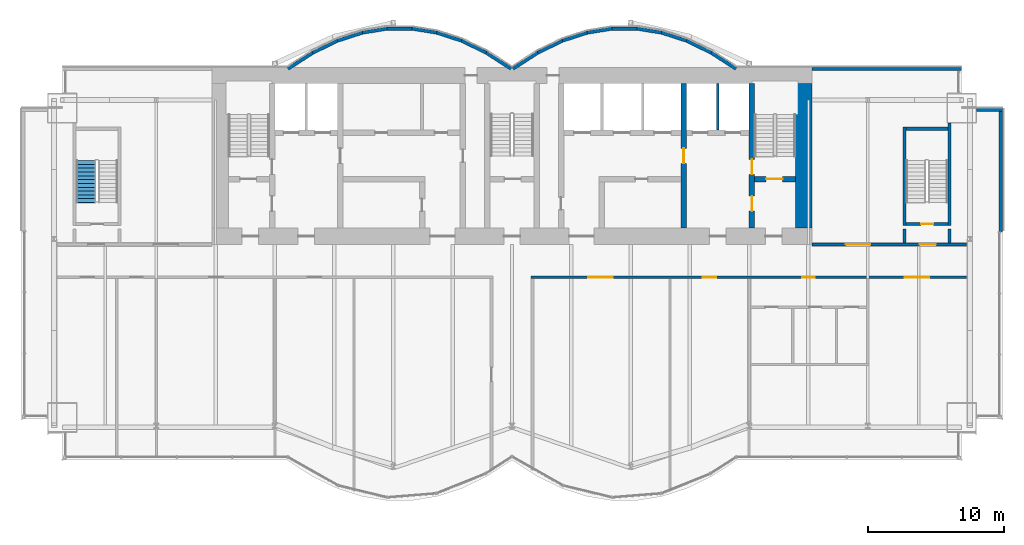
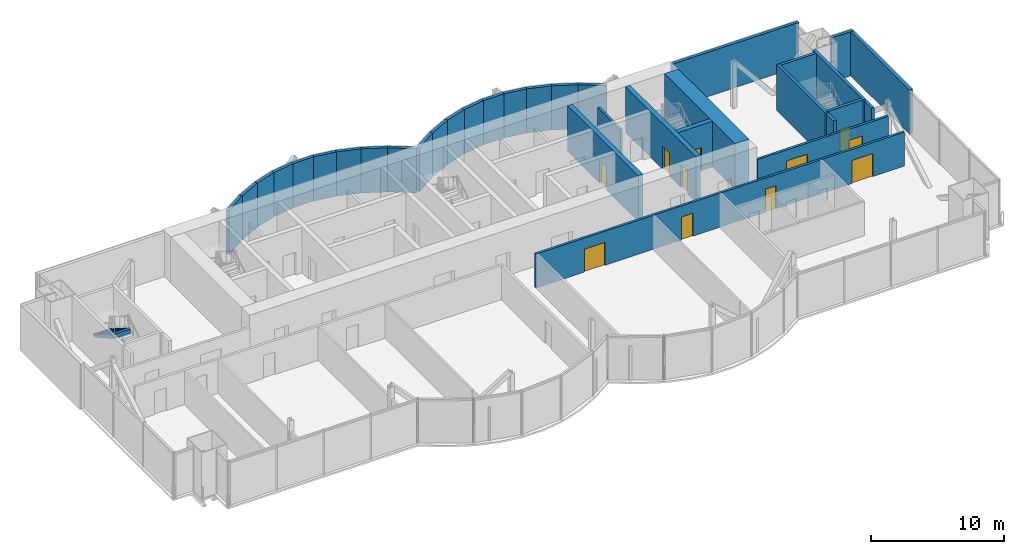
# One storey, part 15 of 19: 34 walls, 11 doors, 1 stair flight, 11 openings, 1 element without a shape of its own.
"""IFC4 building model written with IfcOpenShell, lengths in metres."""

from ifc_helpers import new_model, si_unit, direction, frame, frame_2d, origin, place, context, subcontext, project, spatial, polyline, rectangle, outline, extrude, material, layer, layer_set, layer_usage, type_object, element, fill, aggregate, save


model = new_model("IFC4")

# Units and contexts
model_context = context("Model", 3, precision=1e-05, world=origin(), true_north=direction((0.0, 1.0)))
body_context = subcontext(model_context, "Body", "Model", "MODEL_VIEW")
ifc_project = project(units=[si_unit("LENGTHUNIT", "METRE"), si_unit("AREAUNIT", "SQUARE_METRE"), si_unit("VOLUMEUNIT", "CUBIC_METRE"), si_unit("PLANEANGLEUNIT", "RADIAN"), si_unit("MASSUNIT", "GRAM", prefix="KILO")], contexts=[model_context])

# Site, building, storey
site_placement = place(None, origin())
site = spatial("IfcSite", under=ifc_project, at=site_placement, CompositionType="ELEMENT")
building_placement = place(site_placement, origin())
building = spatial("IfcBuilding", under=site, at=building_placement, Name="Bicima Exchange Tower", CompositionType="ELEMENT")
storey_placement = place(building_placement, frame((0.0, 0.0, 266.60009765625)))
storey = spatial("IfcBuildingStorey", under=building, at=storey_placement, Name="L60", CompositionType="ELEMENT", Elevation=266.60009765625)

# Wall
ifc_material_1 = material(Name="Gypsum board partition")
ifc_layer_1 = layer(ifc_material_1, 0.199951171875)
ifc_layer_set_1 = layer_set([ifc_layer_1], Name="Gypsum board partition")
wall_type_1 = type_object("IfcWallType", Name="Fire-rated gypsum partition 200 EI120", PredefinedType="PARTITIONING", material=ifc_layer_set_1)
wall_1_placement = place(storey_placement, frame((15.10009765625, -4.60009765625, 0.0), z_axis=(0.0, 0.0, 1.0), x_axis=(0.0, 1.0, 0.0)))
element("IfcWall", 1, at=wall_1_placement, inside=storey, type_object=wall_type_1, Name="partition wall 21", PredefinedType="PARTITIONING", context=body_context, shape_type="SweptSolid", body=[
    extrude(rectangle(XDim=3.400146484375, YDim=0.199951171875, at=frame_2d((1.7001953125, 0.0))), origin(), (0.0, 0.0, 1.0), 3.1181640625),
])

# Wall, openings, doors
ifc_layer_2 = layer(ifc_material_1, 0.199951171875)
ifc_layer_set_2 = layer_set([ifc_layer_2], Name="Gypsum board partition")
wall_type_2 = type_object("IfcWallType", Name="Fire-rated gypsum partition 200 EI60", PredefinedType="PARTITIONING", material=ifc_layer_set_2)
wall_2_placement = place(storey_placement, frame((1.39990234375, -15.39990234375, 0.0), z_axis=(0.0, 0.0, 1.0), x_axis=(1.0, 0.0, 0.0)))
wall_2 = element("IfcWall", 2, at=wall_2_placement, inside=storey, type_object=wall_type_2, Name="partition wall 4", PredefinedType="PARTITIONING", context=body_context, shape_type="SweptSolid", body=[
    extrude(rectangle(XDim=31.940185546875, YDim=0.199951171875, at=frame_2d((15.97021484375, 0.0))), origin(), (0.0, 0.0, 1.0), 3.1181640625),
])
opening_1_placement = place(wall_2_placement, frame((4.199951171875, 0.0, 0.0)))
opening_1 = element("IfcOpeningElement", 3, at=opening_1_placement, cuts=wall_2, Name="Opening L60-012", PredefinedType="OPENING", context=body_context, shape_type="SweptSolid", body=[
    extrude(rectangle(XDim=1.800048828125, YDim=2.10009765625, at=frame_2d((0.89990234375, 1.050048828125))), frame((0.0, 0.11181640625, 0.0), z_axis=(0.0, -1.0, 0.0), x_axis=(1.0, 0.0, 0.0)), (0.0, 0.0, 1.0), 0.223876953125),
])
opening_2_placement = place(wall_2_placement, frame((12.60009765625, 0.0, 0.0)))
opening_2 = element("IfcOpeningElement", 4, at=opening_2_placement, cuts=wall_2, Name="Opening L60-013", PredefinedType="OPENING", context=body_context, shape_type="SweptSolid", body=[
    extrude(rectangle(XDim=1.0, YDim=2.10009765625, at=frame_2d((0.5, 1.050048828125))), frame((0.0, 0.11181640625, 0.0), z_axis=(0.0, -1.0, 0.0), x_axis=(1.0, 0.0, 0.0)), (0.0, 0.0, 1.0), 0.223876953125),
])
opening_3_placement = place(wall_2_placement, frame((19.89990234375, 0.0, 0.0)))
opening_3 = element("IfcOpeningElement", 5, at=opening_3_placement, cuts=wall_2, Name="Opening L60-014", PredefinedType="OPENING", context=body_context, shape_type="SweptSolid", body=[
    extrude(rectangle(XDim=0.89990234375, YDim=2.10009765625, at=frame_2d((0.449951171875, 1.050048828125))), frame((0.0, 0.11181640625, 0.0), z_axis=(0.0, -1.0, 0.0), x_axis=(1.0, 0.0, 0.0)), (0.0, 0.0, 1.0), 0.223876953125),
])
opening_4_placement = place(wall_2_placement, frame((27.39990234375, 0.0, 0.0)))
opening_4 = element("IfcOpeningElement", 6, at=opening_4_placement, cuts=wall_2, Name="Opening L60-018", PredefinedType="OPENING", context=body_context, shape_type="SweptSolid", body=[
    extrude(rectangle(XDim=1.800048828125, YDim=2.10009765625, at=frame_2d((0.89990234375, 1.050048828125))), frame((0.0, 0.11181640625, 0.0), z_axis=(0.0, -1.0, 0.0), x_axis=(1.0, 0.0, 0.0)), (0.0, 0.0, 1.0), 0.223876953125),
])
ifc_material_2 = material(Name="Steel fire door leaf", Category="steel")
door_type_1 = type_object("IfcDoorType", Name="Door 1000 swing FD30S", OperationType="SINGLE_SWING_LEFT", PredefinedType="DOOR", material=ifc_material_2)
door_1_placement = place(opening_2_placement, frame((1.0, 0.0, 0.0), z_axis=(0.0, 0.0, 1.0), x_axis=(-1.0, 0.0, 0.0)))
door_1 = element("IfcDoor", 7, at=door_1_placement, inside=storey, type_object=door_type_1, Name="Door", OperationType="SINGLE_SWING_LEFT", OverallHeight=2.10009765625, OverallWidth=1.0, PredefinedType="DOOR", context=body_context, shape_type="SweptSolid", body=[
    extrude(rectangle(XDim=1.0, YDim=2.10009765625, at=frame_2d((0.5, 1.050048828125))), frame((0.0, 0.02490234375, 0.0), z_axis=(0.0, -1.0, 0.0), x_axis=(1.0, 0.0, 0.0)), (0.0, 0.0, 1.0), 0.050048828125),
])
fill(opening_2, door_1)
door_type_2 = type_object("IfcDoorType", Name="Door 1800 double swing FD30S", OperationType="DOUBLE_DOOR_SINGLE_SWING", PredefinedType="DOOR", material=ifc_material_2)
door_2_placement = place(opening_1_placement, origin())
door_2 = element("IfcDoor", 8, at=door_2_placement, inside=storey, type_object=door_type_2, Name="Door", OperationType="SINGLE_SWING_LEFT", OverallHeight=2.10009765625, OverallWidth=1.800048828125, PredefinedType="DOOR", context=body_context, shape_type="SweptSolid", body=[
    extrude(rectangle(XDim=1.800048828125, YDim=2.10009765625, at=frame_2d((0.89990234375, 1.050048828125))), frame((0.0, 0.02490234375, 0.0), z_axis=(0.0, -1.0, 0.0), x_axis=(1.0, 0.0, 0.0)), (0.0, 0.0, 1.0), 0.050048828125),
])
fill(opening_1, door_2)
door_3_placement = place(opening_4_placement, origin())
door_3 = element("IfcDoor", 9, at=door_3_placement, inside=storey, type_object=door_type_2, Name="Door", OperationType="SINGLE_SWING_LEFT", OverallHeight=2.10009765625, OverallWidth=1.800048828125, PredefinedType="DOOR", context=body_context, shape_type="SweptSolid", body=[
    extrude(rectangle(XDim=1.800048828125, YDim=2.10009765625, at=frame_2d((0.89990234375, 1.050048828125))), frame((0.0, 0.02490234375, 0.0), z_axis=(0.0, -1.0, 0.0), x_axis=(1.0, 0.0, 0.0)), (0.0, 0.0, 1.0), 0.050048828125),
])
fill(opening_4, door_3)
door_type_3 = type_object("IfcDoorType", Name="Door 900 swing FD30S", OperationType="SINGLE_SWING_LEFT", PredefinedType="DOOR", material=ifc_material_2)
door_4_placement = place(opening_3_placement, frame((0.89990234375, 0.0, 0.0), z_axis=(0.0, 0.0, 1.0), x_axis=(-1.0, 0.0, 0.0)))
door_4 = element("IfcDoor", 10, at=door_4_placement, inside=storey, type_object=door_type_3, Name="Door", OperationType="SINGLE_SWING_RIGHT", OverallHeight=2.10009765625, OverallWidth=0.89990234375, PredefinedType="DOOR", context=body_context, shape_type="SweptSolid", body=[
    extrude(rectangle(XDim=0.89990234375, YDim=2.10009765625, at=frame_2d((0.449951171875, 1.050048828125))), frame((0.0, 0.02490234375, 0.0), z_axis=(0.0, -1.0, 0.0), x_axis=(1.0, 0.0, 0.0)), (0.0, 0.0, 1.0), 0.050048828125),
])
fill(opening_3, door_4)

wall_3_placement = place(storey_placement, frame((22.0, -13.0, 0.0), z_axis=(0.0, 0.0, 1.0), x_axis=(1.0, 0.0, 0.0)))
wall_3 = element("IfcWall", 11, at=wall_3_placement, inside=storey, type_object=wall_type_2, Name="partition wall 6", PredefinedType="PARTITIONING", context=body_context, shape_type="SweptSolid", body=[
    extrude(rectangle(XDim=11.340087890625, YDim=0.199951171875, at=frame_2d((5.669921875, 0.0))), origin(), (0.0, 0.0, 1.0), 3.1181640625),
])
opening_5_placement = place(wall_3_placement, frame((7.89990234375, 0.0, 0.0)))
opening_5 = element("IfcOpeningElement", 12, at=opening_5_placement, cuts=wall_3, Name="Opening L60-003", PredefinedType="OPENING", context=body_context, shape_type="SweptSolid", body=[
    extrude(rectangle(XDim=1.199951171875, YDim=2.10009765625, at=frame_2d((0.60009765625, 1.050048828125))), frame((0.0, 0.11181640625, 0.0), z_axis=(0.0, -1.0, 0.0), x_axis=(1.0, 0.0, 0.0)), (0.0, 0.0, 1.0), 0.223876953125),
])
opening_6_placement = place(wall_3_placement, frame((2.5, 0.0, 0.0)))
opening_6 = element("IfcOpeningElement", 13, at=opening_6_placement, cuts=wall_3, Name="Opening L60-006", PredefinedType="OPENING", context=body_context, shape_type="SweptSolid", body=[
    extrude(rectangle(XDim=1.800048828125, YDim=2.10009765625, at=frame_2d((0.89990234375, 1.050048828125))), frame((0.0, 0.11181640625, 0.0), z_axis=(0.0, -1.0, 0.0), x_axis=(1.0, 0.0, 0.0)), (0.0, 0.0, 1.0), 0.223876953125),
])
door_type_4 = type_object("IfcDoorType", Name="Door 1200 swing FD30S", OperationType="SINGLE_SWING_LEFT", PredefinedType="DOOR", material=ifc_material_2)
door_5_placement = place(opening_5_placement, origin())
door_5 = element("IfcDoor", 14, at=door_5_placement, inside=storey, type_object=door_type_4, Name="Door", OperationType="SINGLE_SWING_RIGHT", OverallHeight=2.10009765625, OverallWidth=1.199951171875, PredefinedType="DOOR", context=body_context, shape_type="SweptSolid", body=[
    extrude(rectangle(XDim=1.199951171875, YDim=2.10009765625, at=frame_2d((0.60009765625, 1.050048828125))), frame((0.0, 0.02490234375, 0.0), z_axis=(0.0, -1.0, 0.0), x_axis=(1.0, 0.0, 0.0)), (0.0, 0.0, 1.0), 0.050048828125),
])
fill(opening_5, door_5)
door_6_placement = place(opening_6_placement, origin())
door_6 = element("IfcDoor", 15, at=door_6_placement, inside=storey, type_object=door_type_2, Name="Door", OperationType="SINGLE_SWING_LEFT", OverallHeight=2.10009765625, OverallWidth=1.800048828125, PredefinedType="DOOR", context=body_context, shape_type="SweptSolid", body=[
    extrude(rectangle(XDim=1.800048828125, YDim=2.10009765625, at=frame_2d((0.89990234375, 1.050048828125))), frame((0.0, 0.02490234375, 0.0), z_axis=(0.0, -1.0, 0.0), x_axis=(1.0, 0.0, 0.0)), (0.0, 0.0, 1.0), 0.050048828125),
])
fill(opening_6, door_6)

# Walls
ifc_material_3 = material(Name="Concrete C40/50", Category="concrete")
ifc_layer_3 = layer(ifc_material_3, 1.199951171875)
ifc_layer_set_3 = layer_set([ifc_layer_3], Name="Concrete C40/50")
wall_type_3 = type_object("IfcWallType", Name="RC core wall 1200 C40/50", PredefinedType="SHEAR", material=ifc_layer_set_3)
wall_4_placement = place(storey_placement, frame((21.39990234375, -11.800048828125, 0.0), z_axis=(0.0, 0.0, 1.0), x_axis=(0.0, 1.0, 0.0)))
element("IfcWall", 16, at=wall_4_placement, inside=storey, type_object=wall_type_3, Name="Core wall east", PredefinedType="SHEAR", context=body_context, shape_type="SweptSolid", body=[
    extrude(rectangle(XDim=10.60009765625, YDim=1.199951171875, at=frame_2d((5.300048828125, 0.0))), origin(), (0.0, 0.0, 1.0), 4.199951171875),
])
ifc_material_4 = material(Name="Concrete C50/60", Category="concrete")
ifc_layer_4 = layer(ifc_material_4, 0.25)
ifc_layer_set_4 = layer_set([ifc_layer_4], Name="Concrete C50/60")
wall_type_4 = type_object("IfcWallType", Name="RC core wall 250 C50/60", PredefinedType="SHEAR", material=ifc_layer_set_4)
for number, where, z_axis, x_axis, name in (
    (17, (28.800048828125, -12.89990234375, 0.0), (0.0, 0.0, 1.0), (0.0, 1.0, 0.0), "stair wall 28"),
    (18, (32.10009765625, -12.89990234375, 0.0), (0.0, 0.0, 1.0), (0.0, 1.0, 0.0), "stair wall 29"),
):
    element("IfcWall", number, at=place(storey_placement, frame(where, z_axis=z_axis, x_axis=x_axis)), inside=storey, type_object=wall_type_4, Name=name, PredefinedType="SHEAR", context=body_context, shape_type="SweptSolid", body=[
        extrude(rectangle(XDim=1.0498046875, YDim=0.25, at=frame_2d((0.52490234375, 0.0))), origin(), (0.0, 0.0, 1.0), 4.199951171875),
    ])

# Wall, opening, door
ifc_layer_5 = layer(ifc_material_3, 0.39990234375)
ifc_layer_set_5 = layer_set([ifc_layer_5], Name="Concrete C40/50")
wall_type_5 = type_object("IfcWallType", Name="RC core wall 400 C40/50", PredefinedType="SHEAR", material=ifc_layer_set_5)
wall_5_placement = place(storey_placement, frame((12.60009765625, -11.800048828125, 0.0), z_axis=(0.0, 0.0, 1.0), x_axis=(0.0, 1.0, 0.0)))
wall_5 = element("IfcWall", 19, at=wall_5_placement, inside=storey, type_object=wall_type_5, Name="shear wall 20", PredefinedType="SHEAR", context=body_context, shape_type="SweptSolid", body=[
    extrude(rectangle(XDim=10.60009765625, YDim=0.39990234375, at=frame_2d((5.300048828125, 0.0))), origin(), (0.0, 0.0, 1.0), 4.199951171875),
])
opening_7_placement = place(wall_5_placement, frame((4.75, 0.0, 0.0)))
opening_7 = element("IfcOpeningElement", 20, at=opening_7_placement, cuts=wall_5, Name="Opening L60-C09", PredefinedType="OPENING", context=body_context, shape_type="SweptSolid", body=[
    extrude(rectangle(XDim=1.10009765625, YDim=2.10009765625, at=frame_2d((0.550048828125, 1.050048828125))), frame((0.0, 0.2119140625, 0.0), z_axis=(0.0, -1.0, 0.0), x_axis=(1.0, 0.0, 0.0)), (0.0, 0.0, 1.0), 0.423828125),
])
door_type_5 = type_object("IfcDoorType", Name="Door 1100 swing FD60S", OperationType="SINGLE_SWING_LEFT", PredefinedType="DOOR", material=ifc_material_2)
door_7_placement = place(opening_7_placement, frame((1.10009765625, 0.0, 0.0), z_axis=(0.0, 0.0, 1.0), x_axis=(-1.0, 0.0, 0.0)))
door_7 = element("IfcDoor", 21, at=door_7_placement, inside=storey, type_object=door_type_5, Name="Core door", OperationType="SINGLE_SWING_RIGHT", OverallHeight=2.10009765625, OverallWidth=1.10009765625, PredefinedType="DOOR", context=body_context, shape_type="SweptSolid", body=[
    extrude(rectangle(XDim=1.10009765625, YDim=2.10009765625, at=frame_2d((0.550048828125, 1.050048828125))), frame((0.0, 0.02490234375, 0.0), z_axis=(0.0, -1.0, 0.0), x_axis=(1.0, 0.0, 0.0)), (0.0, 0.0, 1.0), 0.050048828125),
])
fill(opening_7, door_7)

ifc_layer_6 = layer(ifc_material_4, 0.39990234375)
ifc_layer_set_6 = layer_set([ifc_layer_6], Name="Concrete C50/60")
wall_type_6 = type_object("IfcWallType", Name="RC core wall 400 C50/60", PredefinedType="SHEAR", material=ifc_layer_set_6)
wall_6_placement = place(storey_placement, frame((17.800048828125, -8.199951171875, 0.0), z_axis=(0.0, 0.0, 1.0), x_axis=(1.0, 0.0, 0.0)))
wall_6 = element("IfcWall", 22, at=wall_6_placement, inside=storey, type_object=wall_type_6, Name="stair wall 5", PredefinedType="SHEAR", context=body_context, shape_type="SweptSolid", body=[
    extrude(rectangle(XDim=3.0, YDim=0.39990234375, at=frame_2d((1.5, 0.0))), origin(), (0.0, 0.0, 1.0), 4.199951171875),
])
opening_8_placement = place(wall_6_placement, frame((0.85009765625, 0.0, 0.0)))
opening_8 = element("IfcOpeningElement", 23, at=opening_8_placement, cuts=wall_6, Name="Opening L60-C04", PredefinedType="OPENING", context=body_context, shape_type="SweptSolid", body=[
    extrude(rectangle(XDim=1.199951171875, YDim=2.10009765625, at=frame_2d((0.60009765625, 1.050048828125))), frame((0.0, 0.2119140625, 0.0), z_axis=(0.0, -1.0, 0.0), x_axis=(1.0, 0.0, 0.0)), (0.0, 0.0, 1.0), 0.423828125),
])
door_type_6 = type_object("IfcDoorType", Name="Door 1200 swing FD60S", OperationType="SINGLE_SWING_LEFT", PredefinedType="DOOR", material=ifc_material_2)
door_8_placement = place(opening_8_placement, origin())
door_8 = element("IfcDoor", 24, at=door_8_placement, inside=storey, type_object=door_type_6, Name="Core door", OperationType="SINGLE_SWING_RIGHT", OverallHeight=2.10009765625, OverallWidth=1.199951171875, PredefinedType="DOOR", context=body_context, shape_type="SweptSolid", body=[
    extrude(rectangle(XDim=1.199951171875, YDim=2.10009765625, at=frame_2d((0.60009765625, 1.050048828125))), frame((0.0, 0.02490234375, 0.0), z_axis=(0.0, -1.0, 0.0), x_axis=(1.0, 0.0, 0.0)), (0.0, 0.0, 1.0), 0.050048828125),
])
fill(opening_8, door_8)

# Wall, openings, doors
wall_7_placement = place(storey_placement, frame((17.60009765625, -11.800048828125, 0.0), z_axis=(0.0, 0.0, 1.0), x_axis=(0.0, 1.0, 0.0)))
wall_7 = element("IfcWall", 25, at=wall_7_placement, inside=storey, type_object=wall_type_6, Name="stair wall 22", PredefinedType="SHEAR", context=body_context, shape_type="SweptSolid", body=[
    extrude(rectangle(XDim=10.60009765625, YDim=0.39990234375, at=frame_2d((5.300048828125, 0.0))), origin(), (0.0, 0.0, 1.0), 4.199951171875),
])
opening_9_placement = place(wall_7_placement, frame((1.25, 0.0, 0.0)))
opening_9 = element("IfcOpeningElement", 26, at=opening_9_placement, cuts=wall_7, Name="Opening L60-C05", PredefinedType="OPENING", context=body_context, shape_type="SweptSolid", body=[
    extrude(rectangle(XDim=1.10009765625, YDim=2.10009765625, at=frame_2d((0.550048828125, 1.050048828125))), frame((0.0, 0.2119140625, 0.0), z_axis=(0.0, -1.0, 0.0), x_axis=(1.0, 0.0, 0.0)), (0.0, 0.0, 1.0), 0.423828125),
])
opening_10_placement = place(wall_7_placement, frame((3.949951171875, 0.0, 0.0)))
opening_10 = element("IfcOpeningElement", 27, at=opening_10_placement, cuts=wall_7, Name="Opening L60-C08", PredefinedType="OPENING", context=body_context, shape_type="SweptSolid", body=[
    extrude(rectangle(XDim=1.10009765625, YDim=2.10009765625, at=frame_2d((0.550048828125, 1.050048828125))), frame((0.0, 0.2119140625, 0.0), z_axis=(0.0, -1.0, 0.0), x_axis=(1.0, 0.0, 0.0)), (0.0, 0.0, 1.0), 0.423828125),
])
door_9_placement = place(opening_9_placement, origin())
door_9 = element("IfcDoor", 28, at=door_9_placement, inside=storey, type_object=door_type_5, Name="Core door", OperationType="SINGLE_SWING_LEFT", OverallHeight=2.10009765625, OverallWidth=1.10009765625, PredefinedType="DOOR", context=body_context, shape_type="SweptSolid", body=[
    extrude(rectangle(XDim=1.10009765625, YDim=2.10009765625, at=frame_2d((0.550048828125, 1.050048828125))), frame((0.0, 0.02490234375, 0.0), z_axis=(0.0, -1.0, 0.0), x_axis=(1.0, 0.0, 0.0)), (0.0, 0.0, 1.0), 0.050048828125),
])
fill(opening_9, door_9)
door_10_placement = place(opening_10_placement, origin())
door_10 = element("IfcDoor", 29, at=door_10_placement, inside=storey, type_object=door_type_5, Name="Core door", OperationType="SINGLE_SWING_RIGHT", OverallHeight=2.10009765625, OverallWidth=1.10009765625, PredefinedType="DOOR", context=body_context, shape_type="SweptSolid", body=[
    extrude(rectangle(XDim=1.10009765625, YDim=2.10009765625, at=frame_2d((0.550048828125, 1.050048828125))), frame((0.0, 0.02490234375, 0.0), z_axis=(0.0, -1.0, 0.0), x_axis=(1.0, 0.0, 0.0)), (0.0, 0.0, 1.0), 0.050048828125),
])
fill(opening_10, door_10)

# Walls
ifc_layer_7 = layer(ifc_material_4, 0.25)
ifc_layer_set_7 = layer_set([ifc_layer_7], Name="Concrete C50/60")
wall_type_7 = type_object("IfcWallType", Name="RC stair enclosure wall 250 C50/60", PredefinedType="SHEAR", material=ifc_layer_set_7)
wall_8_placement = place(storey_placement, frame((28.800048828125, -11.625, 0.0), z_axis=(0.0, 0.0, 1.0), x_axis=(0.0, 1.0, 0.0)))
element("IfcWall", 30, at=wall_8_placement, inside=storey, type_object=wall_type_7, Name="East end exit stair wall W", PredefinedType="SHEAR", context=body_context, shape_type="SweptSolid", body=[
    extrude(rectangle(XDim=7.25, YDim=0.25, at=frame_2d((3.625, 0.0))), origin(), (0.0, 0.0, 1.0), 4.199951171875),
])
wall_9_placement = place(storey_placement, frame((32.10009765625, -11.625, 0.0), z_axis=(0.0, 0.0, 1.0), x_axis=(0.0, 1.0, 0.0)))
element("IfcWall", 31, at=wall_9_placement, inside=storey, type_object=wall_type_7, Name="East end exit stair wall E", PredefinedType="SHEAR", context=body_context, shape_type="SweptSolid", body=[
    extrude(rectangle(XDim=7.52490234375, YDim=0.25, at=frame_2d((3.762451171875, 0.0))), origin(), (0.0, 0.0, 1.0), 4.199951171875),
])

# Wall, opening, door
wall_10_placement = place(storey_placement, frame((28.925048828125, -11.5, 0.0), z_axis=(0.0, 0.0, 1.0), x_axis=(1.0, 0.0, 0.0)))
wall_10 = element("IfcWall", 32, at=wall_10_placement, inside=storey, type_object=wall_type_7, Name="East end exit stair wall S", PredefinedType="SHEAR", context=body_context, shape_type="SweptSolid", body=[
    extrude(rectangle(XDim=3.050048828125, YDim=0.25, at=frame_2d((1.52490234375, 0.0))), origin(), (0.0, 0.0, 1.0), 4.199951171875),
])
opening_11_placement = place(wall_10_placement, frame((1.10009765625, 0.0, 0.0)))
opening_11 = element("IfcOpeningElement", 33, at=opening_11_placement, cuts=wall_10, Name="Opening L60-004", PredefinedType="OPENING", context=body_context, shape_type="SweptSolid", body=[
    extrude(rectangle(XDim=0.89990234375, YDim=2.10009765625, at=frame_2d((0.449951171875, 1.050048828125))), frame((0.0, 0.136962890625, 0.0), z_axis=(0.0, -1.0, 0.0), x_axis=(1.0, 0.0, 0.0)), (0.0, 0.0, 1.0), 0.27392578125),
])
door_type_7 = type_object("IfcDoorType", Name="Door 900 swing FD60S", OperationType="SINGLE_SWING_LEFT", PredefinedType="DOOR", material=ifc_material_2)
door_11_placement = place(opening_11_placement, origin())
door_11 = element("IfcDoor", 34, at=door_11_placement, inside=storey, type_object=door_type_7, Name="Door", OperationType="SINGLE_SWING_LEFT", OverallHeight=2.10009765625, OverallWidth=0.89990234375, PredefinedType="DOOR", context=body_context, shape_type="SweptSolid", body=[
    extrude(rectangle(XDim=0.89990234375, YDim=2.10009765625, at=frame_2d((0.449951171875, 1.050048828125))), frame((0.0, 0.02490234375, 0.0), z_axis=(0.0, -1.0, 0.0), x_axis=(1.0, 0.0, 0.0)), (0.0, 0.0, 1.0), 0.050048828125),
])
fill(opening_11, door_11)

# Walls
wall_11_placement = place(storey_placement, frame((28.925048828125, -4.5, 0.0), z_axis=(0.0, 0.0, 1.0), x_axis=(1.0, 0.0, 0.0)))
element("IfcWall", 35, at=wall_11_placement, inside=storey, type_object=wall_type_7, Name="East end exit stair wall N", PredefinedType="SHEAR", context=body_context, shape_type="SweptSolid", body=[
    extrude(rectangle(XDim=3.050048828125, YDim=0.25, at=frame_2d((1.52490234375, 0.0))), origin(), (0.0, 0.0, 1.0), 4.199951171875),
])
ifc_layer_8 = layer(ifc_material_3, 0.25)
ifc_layer_set_8 = layer_set([ifc_layer_8], Name="Concrete C40/50")
ifc_layer_usage = layer_usage(ifc_layer_set_8, "AXIS2", "POSITIVE", -0.125)
wall_type_8 = type_object("IfcWallType", Name="Rear backup wall 250", PredefinedType="STANDARD", material=ifc_layer_set_8)
wall_12_placement = place(storey_placement, frame((33.0, -0.125, 0.0), z_axis=(0.0, 0.0, 1.0), x_axis=(-1.0, 0.0, 0.0)))
element("IfcWall", 36, at=wall_12_placement, inside=storey, type_object=wall_type_8, material=ifc_layer_usage, Name="Rear backup wall L60 1", PredefinedType="STANDARD", context=body_context, shape_type="SweptSolid", body=[
    extrude(rectangle(XDim=11.0, YDim=0.25, at=frame_2d((5.5, 0.0))), origin(), (0.0, 0.0, 1.0), 4.0498046875),
])
wall_13_placement = place(storey_placement, frame((16.43212890625, -0.10498046875, 0.0), z_axis=(0.0, 0.0, 1.0), x_axis=(-0.83981312244, 0.542875602121, 0.0)))
element("IfcWall", 37, at=wall_13_placement, inside=storey, type_object=wall_type_8, material=ifc_layer_usage, Name="Rear backup wall L60 2", PredefinedType="STANDARD", context=body_context, shape_type="SweptSolid", body=[
    extrude(rectangle(XDim=2.182861328125, YDim=0.25, at=frame_2d((1.09130859375, 0.0))), origin(), (0.0, 0.0, 1.0), 4.0498046875),
])
wall_14_placement = place(storey_placement, frame((14.6123046875, 1.07275390625, 0.0), z_axis=(0.0, 0.0, 1.0), x_axis=(-0.89982408427, 0.436252928206, 0.0)))
element("IfcWall", 38, at=wall_14_placement, inside=storey, type_object=wall_type_8, material=ifc_layer_usage, Name="Rear backup wall L60 3", PredefinedType="STANDARD", context=body_context, shape_type="SweptSolid", body=[
    extrude(rectangle(XDim=2.03759765625, YDim=0.25, at=frame_2d((1.018798828125, 0.0))), origin(), (0.0, 0.0, 1.0), 4.0498046875),
])
wall_15_placement = place(storey_placement, frame((12.794921875, 1.955078125, 0.0), z_axis=(0.0, 0.0, 1.0), x_axis=(-0.951495806175, 0.307661714928, 0.0)))
element("IfcWall", 39, at=wall_15_placement, inside=storey, type_object=wall_type_8, material=ifc_layer_usage, Name="Rear backup wall L60 4", PredefinedType="STANDARD", context=body_context, shape_type="SweptSolid", body=[
    extrude(rectangle(XDim=1.9267578125, YDim=0.25, at=frame_2d((0.96337890625, 0.0))), origin(), (0.0, 0.0, 1.0), 4.0498046875),
])
wall_16_placement = place(storey_placement, frame((10.97998046875, 2.543212890625, 0.0), z_axis=(0.0, 0.0, 1.0), x_axis=(-0.987181718931, 0.159600293885, 0.0)))
element("IfcWall", 40, at=wall_16_placement, inside=storey, type_object=wall_type_8, material=ifc_layer_usage, Name="Rear backup wall L60 5", PredefinedType="STANDARD", context=body_context, shape_type="SweptSolid", body=[
    extrude(rectangle(XDim=1.857177734375, YDim=0.25, at=frame_2d((0.9287109375, 0.0))), origin(), (0.0, 0.0, 1.0), 4.0498046875),
])
wall_17_placement = place(storey_placement, frame((9.166748046875, 2.837890625, 0.0), z_axis=(0.0, 0.0, 1.0), x_axis=(-1.0, 0.0, 0.0)))
element("IfcWall", 41, at=wall_17_placement, inside=storey, type_object=wall_type_8, material=ifc_layer_usage, Name="Rear backup wall L60 6", PredefinedType="STANDARD", context=body_context, shape_type="SweptSolid", body=[
    extrude(rectangle(XDim=1.83349609375, YDim=0.25, at=frame_2d((0.916748046875, 0.0))), origin(), (0.0, 0.0, 1.0), 4.0498046875),
])
wall_18_placement = place(storey_placement, frame((7.353271484375, 2.839599609375, 0.0), z_axis=(0.0, 0.0, 1.0), x_axis=(-0.987181718931, -0.159600293885, 0.0)))
element("IfcWall", 42, at=wall_18_placement, inside=storey, type_object=wall_type_8, material=ifc_layer_usage, Name="Rear backup wall L60 7", PredefinedType="STANDARD", context=body_context, shape_type="SweptSolid", body=[
    extrude(rectangle(XDim=1.857177734375, YDim=0.25, at=frame_2d((0.9287109375, 0.0))), origin(), (0.0, 0.0, 1.0), 4.0498046875),
])
wall_19_placement = place(storey_placement, frame((5.538330078125, 2.5478515625, 0.0), z_axis=(0.0, 0.0, 1.0), x_axis=(-0.951495806175, -0.307661714928, 0.0)))
element("IfcWall", 43, at=wall_19_placement, inside=storey, type_object=wall_type_8, material=ifc_layer_usage, Name="Rear backup wall L60 8", PredefinedType="STANDARD", context=body_context, shape_type="SweptSolid", body=[
    extrude(rectangle(XDim=1.9267578125, YDim=0.25, at=frame_2d((0.96337890625, 0.0))), origin(), (0.0, 0.0, 1.0), 4.0498046875),
])
wall_20_placement = place(storey_placement, frame((3.72119140625, 1.961669921875, 0.0), z_axis=(0.0, 0.0, 1.0), x_axis=(-0.89982408427, -0.436252928206, 0.0)))
element("IfcWall", 44, at=wall_20_placement, inside=storey, type_object=wall_type_8, material=ifc_layer_usage, Name="Rear backup wall L60 9", PredefinedType="STANDARD", context=body_context, shape_type="SweptSolid", body=[
    extrude(rectangle(XDim=2.03759765625, YDim=0.25, at=frame_2d((1.018798828125, 0.0))), origin(), (0.0, 0.0, 1.0), 4.0498046875),
])
for number, where, z_axis, x_axis, name in (
    (45, (1.901123046875, 1.080078125, 0.0), (0.0, 0.0, 1.0), (-0.83981312244, -0.542875602121, 0.0), "Rear backup wall L60 10"),
    (46, (-0.06787109375, -0.10498046875, 0.0), (0.0, 0.0, 1.0), (-0.83981312244, 0.542875602121, 0.0), "Rear backup wall L60 11"),
):
    element("IfcWall", number, at=place(storey_placement, frame(where, z_axis=z_axis, x_axis=x_axis)), inside=storey, type_object=wall_type_8, material=ifc_layer_usage, Name=name, PredefinedType="STANDARD", context=body_context, shape_type="SweptSolid", body=[
        extrude(rectangle(XDim=2.182861328125, YDim=0.25, at=frame_2d((1.09130859375, 0.0))), origin(), (0.0, 0.0, 1.0), 4.0498046875),
    ])
wall_21_placement = place(storey_placement, frame((-1.8876953125, 1.07275390625, 0.0), z_axis=(0.0, 0.0, 1.0), x_axis=(-0.89982408427, 0.436252928206, 0.0)))
element("IfcWall", 47, at=wall_21_placement, inside=storey, type_object=wall_type_8, material=ifc_layer_usage, Name="Rear backup wall L60 12", PredefinedType="STANDARD", context=body_context, shape_type="SweptSolid", body=[
    extrude(rectangle(XDim=2.03759765625, YDim=0.25, at=frame_2d((1.018798828125, 0.0))), origin(), (0.0, 0.0, 1.0), 4.0498046875),
])
wall_22_placement = place(storey_placement, frame((-3.705078125, 1.955078125, 0.0), z_axis=(0.0, 0.0, 1.0), x_axis=(-0.951495806175, 0.307661714928, 0.0)))
element("IfcWall", 48, at=wall_22_placement, inside=storey, type_object=wall_type_8, material=ifc_layer_usage, Name="Rear backup wall L60 13", PredefinedType="STANDARD", context=body_context, shape_type="SweptSolid", body=[
    extrude(rectangle(XDim=1.9267578125, YDim=0.25, at=frame_2d((0.96337890625, 0.0))), origin(), (0.0, 0.0, 1.0), 4.0498046875),
])
wall_23_placement = place(storey_placement, frame((-5.52001953125, 2.543212890625, 0.0), z_axis=(0.0, 0.0, 1.0), x_axis=(-0.987181718931, 0.159600293885, 0.0)))
element("IfcWall", 49, at=wall_23_placement, inside=storey, type_object=wall_type_8, material=ifc_layer_usage, Name="Rear backup wall L60 14", PredefinedType="STANDARD", context=body_context, shape_type="SweptSolid", body=[
    extrude(rectangle(XDim=1.857177734375, YDim=0.25, at=frame_2d((0.9287109375, 0.0))), origin(), (0.0, 0.0, 1.0), 4.0498046875),
])
wall_24_placement = place(storey_placement, frame((-7.333251953125, 2.837890625, 0.0), z_axis=(0.0, 0.0, 1.0), x_axis=(-1.0, 0.0, 0.0)))
element("IfcWall", 50, at=wall_24_placement, inside=storey, type_object=wall_type_8, material=ifc_layer_usage, Name="Rear backup wall L60 15", PredefinedType="STANDARD", context=body_context, shape_type="SweptSolid", body=[
    extrude(rectangle(XDim=1.83349609375, YDim=0.25, at=frame_2d((0.916748046875, 0.0))), origin(), (0.0, 0.0, 1.0), 4.0498046875),
])
wall_25_placement = place(storey_placement, frame((-9.146728515625, 2.839599609375, 0.0), z_axis=(0.0, 0.0, 1.0), x_axis=(-0.987181718931, -0.159600293885, 0.0)))
element("IfcWall", 51, at=wall_25_placement, inside=storey, type_object=wall_type_8, material=ifc_layer_usage, Name="Rear backup wall L60 16", PredefinedType="STANDARD", context=body_context, shape_type="SweptSolid", body=[
    extrude(rectangle(XDim=1.857177734375, YDim=0.25, at=frame_2d((0.9287109375, 0.0))), origin(), (0.0, 0.0, 1.0), 4.0498046875),
])
wall_26_placement = place(storey_placement, frame((-10.961669921875, 2.5478515625, 0.0), z_axis=(0.0, 0.0, 1.0), x_axis=(-0.951495806175, -0.307661714928, 0.0)))
element("IfcWall", 52, at=wall_26_placement, inside=storey, type_object=wall_type_8, material=ifc_layer_usage, Name="Rear backup wall L60 17", PredefinedType="STANDARD", context=body_context, shape_type="SweptSolid", body=[
    extrude(rectangle(XDim=1.9267578125, YDim=0.25, at=frame_2d((0.96337890625, 0.0))), origin(), (0.0, 0.0, 1.0), 4.0498046875),
])
wall_27_placement = place(storey_placement, frame((-12.77880859375, 1.961669921875, 0.0), z_axis=(0.0, 0.0, 1.0), x_axis=(-0.89982408427, -0.436252928206, 0.0)))
element("IfcWall", 53, at=wall_27_placement, inside=storey, type_object=wall_type_8, material=ifc_layer_usage, Name="Rear backup wall L60 18", PredefinedType="STANDARD", context=body_context, shape_type="SweptSolid", body=[
    extrude(rectangle(XDim=2.03759765625, YDim=0.25, at=frame_2d((1.018798828125, 0.0))), origin(), (0.0, 0.0, 1.0), 4.0498046875),
])
wall_28_placement = place(storey_placement, frame((-14.598876953125, 1.080078125, 0.0), z_axis=(0.0, 0.0, 1.0), x_axis=(-0.83981312244, -0.542875602121, 0.0)))
element("IfcWall", 54, at=wall_28_placement, inside=storey, type_object=wall_type_8, material=ifc_layer_usage, Name="Rear backup wall L60 19", PredefinedType="STANDARD", context=body_context, shape_type="SweptSolid", body=[
    extrude(rectangle(XDim=2.182861328125, YDim=0.25, at=frame_2d((1.09130859375, 0.0))), origin(), (0.0, 0.0, 1.0), 4.0498046875),
])
wall_29_placement = place(storey_placement, frame((35.875, -12.090087890625, 0.0), z_axis=(0.0, 0.0, 1.0), x_axis=(0.0, 1.0, 0.0)))
element("IfcWall", 55, at=wall_29_placement, inside=storey, type_object=wall_type_8, material=ifc_layer_usage, Name="Rear backup wall L60 50", PredefinedType="STANDARD", context=body_context, shape_type="SweptSolid", body=[
    extrude(rectangle(XDim=9.090087890625, YDim=0.25, at=frame_2d((4.544921875, 0.0))), origin(), (0.0, 0.0, 1.0), 4.0498046875),
])
wall_30_placement = place(storey_placement, frame((36.0, -3.125, 0.0), z_axis=(0.0, 0.0, 1.0), x_axis=(-1.0, 0.0, 0.0)))
element("IfcWall", 56, at=wall_30_placement, inside=storey, type_object=wall_type_8, material=ifc_layer_usage, Name="Rear backup wall L60 51", PredefinedType="STANDARD", context=body_context, shape_type="SweptSolid", body=[
    extrude(rectangle(XDim=1.89990234375, YDim=0.25, at=frame_2d((0.949951171875, 0.0))), origin(), (0.0, 0.0, 1.0), 4.0498046875),
])

# Stair, stair flight
stair_type = type_object("IfcStairType", Name="Exit stair", PredefinedType="HALF_TURN_STAIR", material=ifc_material_4)
stair_placement = place(storey_placement, origin())
stair = element("IfcStair", 57, at=stair_placement, inside=storey, type_object=stair_type, Name="L60 West end exit stair", PredefinedType="HALF_TURN_STAIR")
stair_flight_type = type_object("IfcStairFlightType", Name="Stair flight RC", PredefinedType="STRAIGHT", material=ifc_material_4)
stair_flight_placement = place(storey_placement, frame((-31.25, -6.844970703125, 2.099853515625), z_axis=(0.0, 0.0, 1.0), x_axis=(0.0, -1.0, 0.0)))
stair_flight = element("IfcStairFlight", 58, at=stair_flight_placement, type_object=stair_flight_type, Name="ST-WW flight 2", NumberOfRisers=12, NumberOfTreads=11, PredefinedType="STRAIGHT", RiserHeight=0.175, TreadLength=0.28, context=body_context, shape_type="SweptSolid", body=[
    extrude(outline(polyline([(0.0, 0.0), (0.0, 0.175048828125), (0.280029296875, 0.175048828125), (0.280029296875, 0.35009765625), (0.56005859375, 0.35009765625), (0.56005859375, 0.52490234375), (0.840087890625, 0.52490234375), (0.840087890625, 0.699951171875), (1.1201171875, 0.699951171875), (1.1201171875, 0.875), (1.39990234375, 0.875), (1.39990234375, 1.050048828125), (1.679931640625, 1.050048828125), (1.679931640625, 1.22509765625), (1.9599609375, 1.22509765625), (1.9599609375, 1.39990234375), (2.239990234375, 1.39990234375), (2.239990234375, 1.574951171875), (2.52001953125, 1.574951171875), (2.52001953125, 1.75), (2.800048828125, 1.75), (2.800048828125, 1.925048828125), (3.080078125, 1.925048828125), (3.080078125, 1.9541015625), (3.094970703125, 1.9541015625), (3.094970703125, 1.58251953125), (0.28271484375, 0.0), (0.0, 0.0)])), frame((0.0, 0.72509765625, 0.0), z_axis=(0.0, -1.0, 0.0), x_axis=(1.0, 0.0, 0.0)), (0.0, 0.0, 1.0), 1.449951171875),
])
aggregate(stair, [stair_flight])

save(model, "model.ifc")
